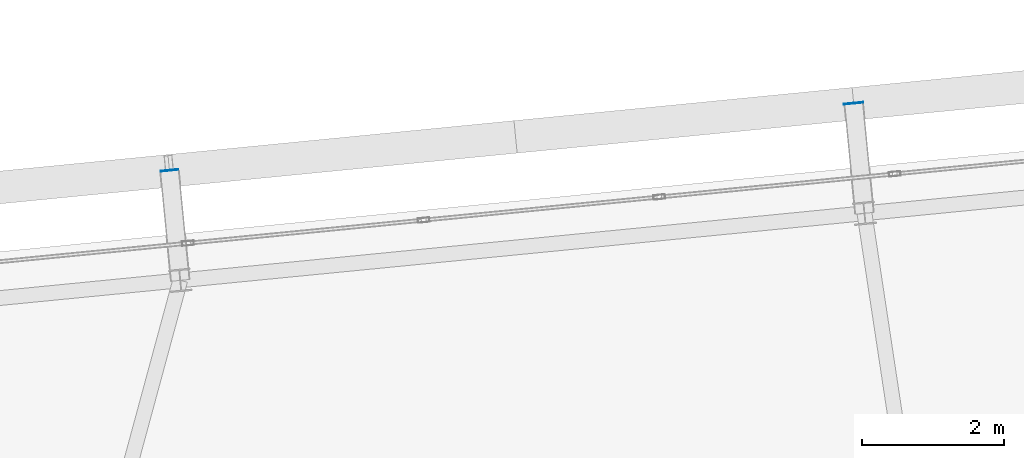
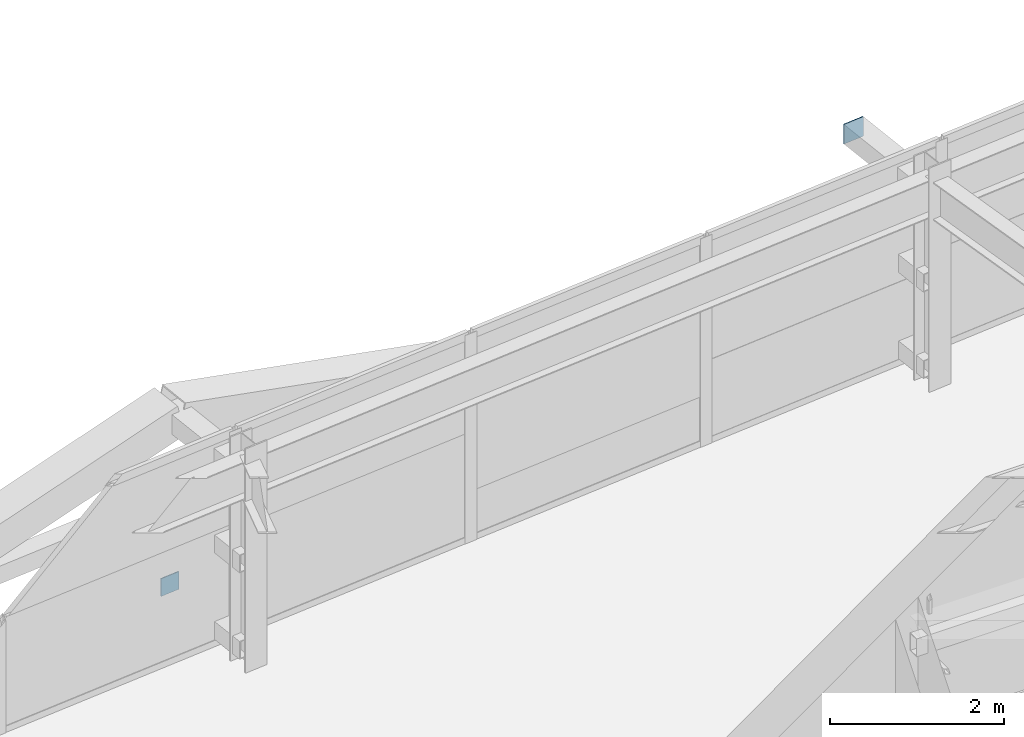
# One storey, part 44 of 54: 2 plates.
"""IFC4 building model written with IfcOpenShell, lengths in metres."""

from ifc_helpers import new_model, si_unit, direction, frame, origin, origin_2d, place, context, subcontext, project, spatial, rectangle, extrude, source, transform, mapped, material, layer, layer_set, type_object, element, save


model = new_model("IFC4")

# Units and contexts
model_context = context("Model", 3, precision=1e-05, world=origin(), true_north=direction((0.0, 1.0)))
body_context = subcontext(model_context, "Body", "Model", "MODEL_VIEW")
ifc_project = project(units=[si_unit("LENGTHUNIT", "METRE"), si_unit("AREAUNIT", "SQUARE_METRE"), si_unit("VOLUMEUNIT", "CUBIC_METRE"), si_unit("PLANEANGLEUNIT", "RADIAN"), si_unit("MASSUNIT", "GRAM", prefix="KILO")], contexts=[model_context])

# Site, building, storey
site_placement = place(None, origin())
site = spatial("IfcSite", under=ifc_project, at=site_placement, CompositionType="ELEMENT")
building_placement = place(site_placement, origin())
building = spatial("IfcBuilding", under=site, at=building_placement, Name="Taldren Reach Tower", CompositionType="ELEMENT")
storey_placement = place(building_placement, frame((0.0, 0.0, 99.75)))
storey = spatial("IfcBuildingStorey", under=building, at=storey_placement, Name="L30", CompositionType="ELEMENT", Elevation=99.75)

# Plates
ifc_material_1 = material(Name="Steel Gr 450 (C450L0)", Category="steel")
ifc_layer_1 = layer(ifc_material_1, 0.011962890625)
ifc_layer_set_1 = layer_set([ifc_layer_1], Name="Steel Gr 450 (C450L0)")
plate_type_1 = type_object("IfcPlateType", Name="PL-CAP-275", PredefinedType="SHEET", material=ifc_layer_set_1)
shared_shape_1 = source(origin(), body_context, "Body", "SweptSolid", [
    extrude(rectangle(XDim=0.27490234375, YDim=0.011962890625, at=origin_2d()), origin(), (0.0, 0.0, 1.0), 0.27490234375),
])
plate_1_placement = place(storey_placement, frame((49.980224609375, 39.283935546875, 2.512451171875), z_axis=(0.0, 0.0, 1.0), x_axis=(0.995227399982, 0.097582899759, 0.0)))
element("IfcPlate", 1, at=plate_1_placement, inside=storey, type_object=plate_type_1, Name="Tie strut end cap plate B2-N5 L30", PredefinedType="SHEET", context=body_context, shape_type="MappedRepresentation", body=[
    mapped(shared_shape_1, transform((0.0, 0.0, 0.0), scale=1.0)),
])
ifc_material_2 = material(Name="Steel Gr 350 (C350L0)", Category="steel")
ifc_layer_2 = layer(ifc_material_2, 0.011962890625)
ifc_layer_set_2 = layer_set([ifc_layer_2], Name="Steel Gr 350 (C350L0)")
plate_type_2 = type_object("IfcPlateType", Name="PL-CAP-250", PredefinedType="SHEET", material=ifc_layer_set_2)
shared_shape_2 = source(origin(), body_context, "Body", "SweptSolid", [
    extrude(rectangle(XDim=0.25, YDim=0.011962890625, at=origin_2d()), origin(), (0.0, 0.0, 1.0), 0.25),
])
plate_2_placement = place(storey_placement, frame((40.346435546875, 38.33935546875, 0.094970703125), z_axis=(0.0, 0.0, 1.0), x_axis=(0.995227399982, 0.097582899759, 0.0)))
element("IfcPlate", 2, at=plate_2_placement, inside=storey, type_object=plate_type_2, Name="Tie strut end cap plate B2-N4 L30", PredefinedType="SHEET", context=body_context, shape_type="MappedRepresentation", body=[
    mapped(shared_shape_2, transform((0.0, 0.0, 0.0), scale=1.0)),
])

save(model, "model.ifc")
